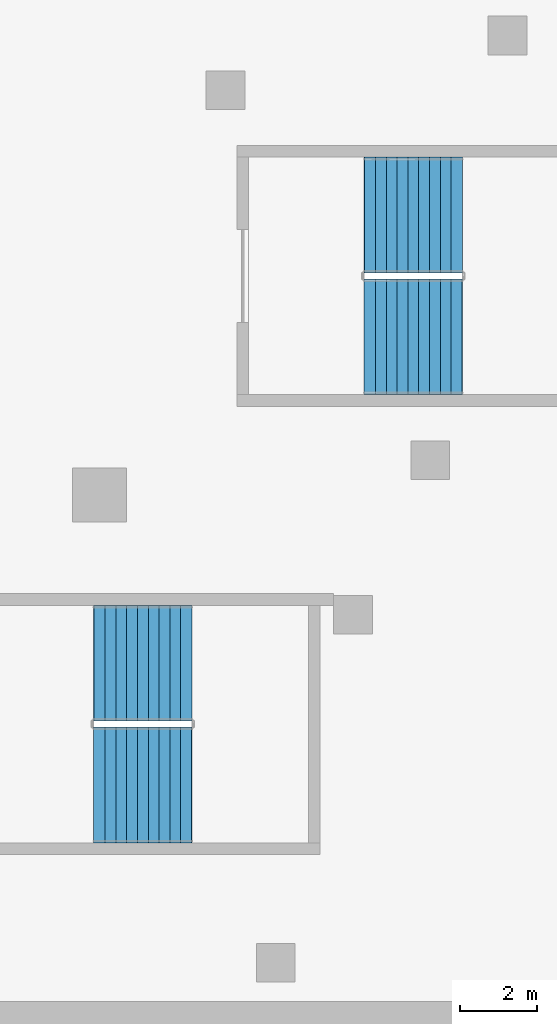
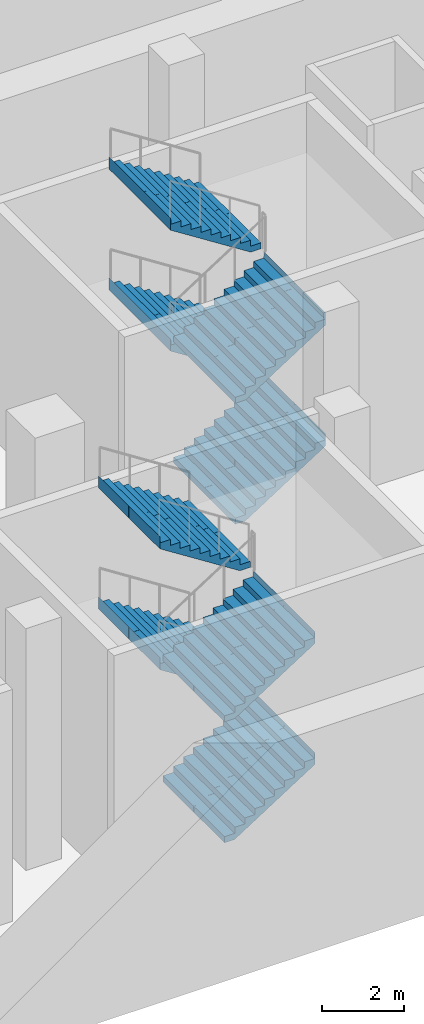
# One storey, part 10 of 15: 8 stair flights, 2 elements without a shape of their own.
"""IFC4 building model written with IfcOpenShell, lengths in metres."""

from ifc_helpers import new_model, si_unit, direction, frame, origin, place, context, subcontext, project, spatial, polyline, outline, extrude, material, type_object, element, aggregate, save


model = new_model("IFC4")

# Units and contexts
model_context = context("Model", 3, precision=1e-05, world=origin(), true_north=direction((0.0, 1.0)))
body_context = subcontext(model_context, "Body", "Model", "MODEL_VIEW")
ifc_project = project(units=[si_unit("LENGTHUNIT", "METRE"), si_unit("AREAUNIT", "SQUARE_METRE"), si_unit("VOLUMEUNIT", "CUBIC_METRE"), si_unit("PLANEANGLEUNIT", "RADIAN"), si_unit("MASSUNIT", "GRAM", prefix="KILO")], contexts=[model_context])

# Site, building, storey
site_placement = place(None, origin())
site = spatial("IfcSite", under=ifc_project, at=site_placement, CompositionType="ELEMENT")
building_placement = place(site_placement, origin())
building = spatial("IfcBuilding", under=site, at=building_placement, Name="Wharfspan Tower", CompositionType="ELEMENT")
storey_placement = place(building_placement, frame((0.0, 0.0, -7.199951)))
storey = spatial("IfcBuildingStorey", under=building, at=storey_placement, Name="B1", CompositionType="ELEMENT", Elevation=-7.199951)

# Stair, stair flights
ifc_material = material(Name="Concrete C40/50", Category="concrete")
stair_type = type_object("IfcStairType", Name="Half-turn stair 3000 wide 40 risers 180 mm", PredefinedType="HALF_TURN_STAIR", material=ifc_material)
stair_1_placement = place(storey_placement, origin())
stair_1 = element("IfcStair", 1, at=stair_1_placement, inside=storey, type_object=stair_type, Name="B1 stair SB5", PredefinedType="HALF_TURN_STAIR")
stair_flight_type = type_object("IfcStairFlightType", Name="Stair flight 3000 wide 40 risers 180 mm", PredefinedType="STRAIGHT", material=ifc_material)
stair_flight_1_placement = place(storey_placement, frame((80.300049, -29.399902, 0.0), z_axis=(0.0, 0.0, 1.0), x_axis=(1.0, 0.0, 0.0)))
stair_flight_1 = element("IfcStairFlight", 2, at=stair_flight_1_placement, type_object=stair_flight_type, Name="SB5 flight 1", NumberOfRisers=10, NumberOfTreads=9, PredefinedType="STRAIGHT", RiserHeight=0.18, TreadLength=0.28, context=body_context, shape_type="SweptSolid", body=[
    extrude(outline(polyline([(-0.011963, 0.0), (-0.011963, 0.179932), (0.0, 0.179932), (0.280029, 0.179932), (0.280029, 0.360107), (0.560059, 0.360107), (0.560059, 0.540039), (0.840088, 0.540039), (0.840088, 0.719971), (1.120117, 0.719971), (1.120117, 0.899902), (1.399902, 0.899902), (1.399902, 1.080078), (1.679932, 1.080078), (1.679932, 1.26001), (1.959961, 1.26001), (1.959961, 1.439941), (2.23999, 1.439941), (2.23999, 1.620117), (2.52002, 1.620117), (2.531982, 1.800049), (2.531982, 1.441895), (0.2771, 0.0), (-0.011963, 0.0)])), frame((0.0, 1.5, 0.0), z_axis=(0.0, -1.0, 0.0), x_axis=(1.0, 0.0, 0.0)), (0.0, 0.0, 1.0), 1.479492),
    extrude(outline(polyline([(-0.011963, 0.0), (-0.011963, 0.179932), (0.0, 0.179932), (0.280029, 0.179932), (0.280029, 0.360107), (0.560059, 0.360107), (0.560059, 0.540039), (0.840088, 0.540039), (0.840088, 0.719971), (1.120117, 0.719971), (1.120117, 0.899902), (1.399902, 0.899902), (1.399902, 1.080078), (1.679932, 1.080078), (1.679932, 1.26001), (1.959961, 1.26001), (1.959961, 1.439941), (2.23999, 1.439941), (2.23999, 1.620117), (2.52002, 1.620117), (2.531982, 1.800049), (2.531982, 1.441895), (0.2771, 0.0), (-0.011963, 0.0)])), frame((0.0, 0.019531, 0.0), z_axis=(0.0, -1.0, 0.0), x_axis=(1.0, 0.0, 0.0)), (0.0, 0.0, 1.0), 0.019043),
    extrude(outline(polyline([(-0.011963, 0.0), (-0.011963, 0.179932), (0.0, 0.179932), (0.280029, 0.179932), (0.280029, 0.360107), (0.560059, 0.360107), (0.560059, 0.540039), (0.840088, 0.540039), (0.840088, 0.719971), (1.120117, 0.719971), (1.120117, 0.899902), (1.399902, 0.899902), (1.399902, 1.080078), (1.679932, 1.080078), (1.679932, 1.26001), (1.959961, 1.26001), (1.959961, 1.439941), (2.23999, 1.439941), (2.23999, 1.620117), (2.52002, 1.620117), (2.531982, 1.800049), (2.531982, 1.441895), (0.2771, 0.0), (-0.011963, 0.0)])), frame((0.0, -0.000488, 0.0), z_axis=(0.0, -1.0, 0.0), x_axis=(1.0, 0.0, 0.0)), (0.0, 0.0, 1.0), 0.019043),
    extrude(outline(polyline([(-0.011963, 0.0), (-0.011963, 0.179932), (0.0, 0.179932), (0.280029, 0.179932), (0.280029, 0.360107), (0.560059, 0.360107), (0.560059, 0.540039), (0.840088, 0.540039), (0.840088, 0.719971), (1.120117, 0.719971), (1.120117, 0.899902), (1.399902, 0.899902), (1.399902, 1.080078), (1.679932, 1.080078), (1.679932, 1.26001), (1.959961, 1.26001), (1.959961, 1.439941), (2.23999, 1.439941), (2.23999, 1.620117), (2.52002, 1.620117), (2.531982, 1.800049), (2.531982, 1.441895), (0.2771, 0.0), (-0.011963, 0.0)])), frame((0.0, -0.020508, 0.0), z_axis=(0.0, -1.0, 0.0), x_axis=(1.0, 0.0, 0.0)), (0.0, 0.0, 1.0), 1.479492),
])
stair_flight_2_placement = place(storey_placement, frame((82.820068, -26.25, 1.800049), z_axis=(0.0, 0.0, 1.0), x_axis=(-1.0, 0.0, 0.0)))
stair_flight_2 = element("IfcStairFlight", 3, at=stair_flight_2_placement, type_object=stair_flight_type, Name="SB5 flight 2", NumberOfRisers=10, NumberOfTreads=9, PredefinedType="STRAIGHT", RiserHeight=0.18, TreadLength=0.28, context=body_context, shape_type="SweptSolid", body=[
    extrude(outline(polyline([(-0.011963, 0.0), (-0.011963, 0.179932), (0.0, 0.179932), (0.280029, 0.179932), (0.280029, 0.360107), (0.560059, 0.360107), (0.560059, 0.540039), (0.840088, 0.540039), (0.840088, 0.719971), (1.120117, 0.719971), (1.120117, 0.899902), (1.399902, 0.899902), (1.399902, 1.080078), (1.679932, 1.080078), (1.679932, 1.26001), (1.959961, 1.26001), (1.959961, 1.439941), (2.23999, 1.439941), (2.23999, 1.620117), (2.52002, 1.620117), (2.531982, 1.800049), (2.531982, 1.441895), (0.2771, 0.0), (-0.011963, 0.0)])), frame((0.0, 1.5, 0.0), z_axis=(0.0, -1.0, 0.0), x_axis=(1.0, 0.0, 0.0)), (0.0, 0.0, 1.0), 1.479492),
    extrude(outline(polyline([(-0.011963, 0.0), (-0.011963, 0.179932), (0.0, 0.179932), (0.280029, 0.179932), (0.280029, 0.360107), (0.560059, 0.360107), (0.560059, 0.540039), (0.840088, 0.540039), (0.840088, 0.719971), (1.120117, 0.719971), (1.120117, 0.899902), (1.399902, 0.899902), (1.399902, 1.080078), (1.679932, 1.080078), (1.679932, 1.26001), (1.959961, 1.26001), (1.959961, 1.439941), (2.23999, 1.439941), (2.23999, 1.620117), (2.52002, 1.620117), (2.531982, 1.800049), (2.531982, 1.441895), (0.2771, 0.0), (-0.011963, 0.0)])), frame((0.0, 0.019531, 0.0), z_axis=(0.0, -1.0, 0.0), x_axis=(1.0, 0.0, 0.0)), (0.0, 0.0, 1.0), 0.019043),
    extrude(outline(polyline([(-0.011963, 0.0), (-0.011963, 0.179932), (0.0, 0.179932), (0.280029, 0.179932), (0.280029, 0.360107), (0.560059, 0.360107), (0.560059, 0.540039), (0.840088, 0.540039), (0.840088, 0.719971), (1.120117, 0.719971), (1.120117, 0.899902), (1.399902, 0.899902), (1.399902, 1.080078), (1.679932, 1.080078), (1.679932, 1.26001), (1.959961, 1.26001), (1.959961, 1.439941), (2.23999, 1.439941), (2.23999, 1.620117), (2.52002, 1.620117), (2.531982, 1.800049), (2.531982, 1.441895), (0.2771, 0.0), (-0.011963, 0.0)])), frame((0.0, -0.000488, 0.0), z_axis=(0.0, -1.0, 0.0), x_axis=(1.0, 0.0, 0.0)), (0.0, 0.0, 1.0), 0.019043),
    extrude(outline(polyline([(-0.011963, 0.0), (-0.011963, 0.179932), (0.0, 0.179932), (0.280029, 0.179932), (0.280029, 0.360107), (0.560059, 0.360107), (0.560059, 0.540039), (0.840088, 0.540039), (0.840088, 0.719971), (1.120117, 0.719971), (1.120117, 0.899902), (1.399902, 0.899902), (1.399902, 1.080078), (1.679932, 1.080078), (1.679932, 1.26001), (1.959961, 1.26001), (1.959961, 1.439941), (2.23999, 1.439941), (2.23999, 1.620117), (2.52002, 1.620117), (2.531982, 1.800049), (2.531982, 1.441895), (0.2771, 0.0), (-0.011963, 0.0)])), frame((0.0, -0.020508, 0.0), z_axis=(0.0, -1.0, 0.0), x_axis=(1.0, 0.0, 0.0)), (0.0, 0.0, 1.0), 1.479492),
])
stair_flight_3_placement = place(storey_placement, frame((80.300049, -29.399902, 3.599854), z_axis=(0.0, 0.0, 1.0), x_axis=(1.0, 0.0, 0.0)))
stair_flight_3 = element("IfcStairFlight", 4, at=stair_flight_3_placement, type_object=stair_flight_type, Name="SB5 flight 3", NumberOfRisers=10, NumberOfTreads=9, PredefinedType="STRAIGHT", RiserHeight=0.18, TreadLength=0.28, context=body_context, shape_type="SweptSolid", body=[
    extrude(outline(polyline([(-0.011963, 0.0), (-0.011963, 0.179932), (0.0, 0.179932), (0.280029, 0.179932), (0.280029, 0.360107), (0.560059, 0.360107), (0.560059, 0.540039), (0.840088, 0.540039), (0.840088, 0.719971), (1.120117, 0.719971), (1.120117, 0.899902), (1.399902, 0.899902), (1.399902, 1.080078), (1.679932, 1.080078), (1.679932, 1.26001), (1.959961, 1.26001), (1.959961, 1.439941), (2.23999, 1.439941), (2.23999, 1.620117), (2.52002, 1.620117), (2.531982, 1.800049), (2.531982, 1.441895), (0.2771, 0.0), (-0.011963, 0.0)])), frame((0.0, 1.5, 0.0), z_axis=(0.0, -1.0, 0.0), x_axis=(1.0, 0.0, 0.0)), (0.0, 0.0, 1.0), 1.479492),
    extrude(outline(polyline([(-0.011963, 0.0), (-0.011963, 0.179932), (0.0, 0.179932), (0.280029, 0.179932), (0.280029, 0.360107), (0.560059, 0.360107), (0.560059, 0.540039), (0.840088, 0.540039), (0.840088, 0.719971), (1.120117, 0.719971), (1.120117, 0.899902), (1.399902, 0.899902), (1.399902, 1.080078), (1.679932, 1.080078), (1.679932, 1.26001), (1.959961, 1.26001), (1.959961, 1.439941), (2.23999, 1.439941), (2.23999, 1.620117), (2.52002, 1.620117), (2.531982, 1.800049), (2.531982, 1.441895), (0.2771, 0.0), (-0.011963, 0.0)])), frame((0.0, 0.019531, 0.0), z_axis=(0.0, -1.0, 0.0), x_axis=(1.0, 0.0, 0.0)), (0.0, 0.0, 1.0), 0.019043),
    extrude(outline(polyline([(-0.011963, 0.0), (-0.011963, 0.179932), (0.0, 0.179932), (0.280029, 0.179932), (0.280029, 0.360107), (0.560059, 0.360107), (0.560059, 0.540039), (0.840088, 0.540039), (0.840088, 0.719971), (1.120117, 0.719971), (1.120117, 0.899902), (1.399902, 0.899902), (1.399902, 1.080078), (1.679932, 1.080078), (1.679932, 1.26001), (1.959961, 1.26001), (1.959961, 1.439941), (2.23999, 1.439941), (2.23999, 1.620117), (2.52002, 1.620117), (2.531982, 1.800049), (2.531982, 1.441895), (0.2771, 0.0), (-0.011963, 0.0)])), frame((0.0, -0.000488, 0.0), z_axis=(0.0, -1.0, 0.0), x_axis=(1.0, 0.0, 0.0)), (0.0, 0.0, 1.0), 0.019043),
    extrude(outline(polyline([(-0.011963, 0.0), (-0.011963, 0.179932), (0.0, 0.179932), (0.280029, 0.179932), (0.280029, 0.360107), (0.560059, 0.360107), (0.560059, 0.540039), (0.840088, 0.540039), (0.840088, 0.719971), (1.120117, 0.719971), (1.120117, 0.899902), (1.399902, 0.899902), (1.399902, 1.080078), (1.679932, 1.080078), (1.679932, 1.26001), (1.959961, 1.26001), (1.959961, 1.439941), (2.23999, 1.439941), (2.23999, 1.620117), (2.52002, 1.620117), (2.531982, 1.800049), (2.531982, 1.441895), (0.2771, 0.0), (-0.011963, 0.0)])), frame((0.0, -0.020508, 0.0), z_axis=(0.0, -1.0, 0.0), x_axis=(1.0, 0.0, 0.0)), (0.0, 0.0, 1.0), 1.479492),
])
stair_flight_4_placement = place(storey_placement, frame((82.820068, -26.25, 5.399902), z_axis=(0.0, 0.0, 1.0), x_axis=(-1.0, 0.0, 0.0)))
stair_flight_4 = element("IfcStairFlight", 5, at=stair_flight_4_placement, type_object=stair_flight_type, Name="SB5 flight 4", NumberOfRisers=10, NumberOfTreads=9, PredefinedType="STRAIGHT", RiserHeight=0.18, TreadLength=0.28, context=body_context, shape_type="SweptSolid", body=[
    extrude(outline(polyline([(-0.011963, 0.0), (-0.011963, 0.179932), (0.0, 0.179932), (0.280029, 0.179932), (0.280029, 0.360107), (0.560059, 0.360107), (0.560059, 0.540039), (0.840088, 0.540039), (0.840088, 0.719971), (1.120117, 0.719971), (1.120117, 0.899902), (1.399902, 0.899902), (1.399902, 1.080078), (1.679932, 1.080078), (1.679932, 1.26001), (1.959961, 1.26001), (1.959961, 1.439941), (2.23999, 1.439941), (2.23999, 1.620117), (2.52002, 1.620117), (2.531982, 1.800049), (2.531982, 1.441895), (0.2771, 0.0), (-0.011963, 0.0)])), frame((0.0, 1.5, 0.0), z_axis=(0.0, -1.0, 0.0), x_axis=(1.0, 0.0, 0.0)), (0.0, 0.0, 1.0), 1.479492),
    extrude(outline(polyline([(-0.011963, 0.0), (-0.011963, 0.179932), (0.0, 0.179932), (0.280029, 0.179932), (0.280029, 0.360107), (0.560059, 0.360107), (0.560059, 0.540039), (0.840088, 0.540039), (0.840088, 0.719971), (1.120117, 0.719971), (1.120117, 0.899902), (1.399902, 0.899902), (1.399902, 1.080078), (1.679932, 1.080078), (1.679932, 1.26001), (1.959961, 1.26001), (1.959961, 1.439941), (2.23999, 1.439941), (2.23999, 1.620117), (2.52002, 1.620117), (2.531982, 1.800049), (2.531982, 1.441895), (0.2771, 0.0), (-0.011963, 0.0)])), frame((0.0, 0.019531, 0.0), z_axis=(0.0, -1.0, 0.0), x_axis=(1.0, 0.0, 0.0)), (0.0, 0.0, 1.0), 0.019043),
    extrude(outline(polyline([(-0.011963, 0.0), (-0.011963, 0.179932), (0.0, 0.179932), (0.280029, 0.179932), (0.280029, 0.360107), (0.560059, 0.360107), (0.560059, 0.540039), (0.840088, 0.540039), (0.840088, 0.719971), (1.120117, 0.719971), (1.120117, 0.899902), (1.399902, 0.899902), (1.399902, 1.080078), (1.679932, 1.080078), (1.679932, 1.26001), (1.959961, 1.26001), (1.959961, 1.439941), (2.23999, 1.439941), (2.23999, 1.620117), (2.52002, 1.620117), (2.531982, 1.800049), (2.531982, 1.441895), (0.2771, 0.0), (-0.011963, 0.0)])), frame((0.0, -0.000488, 0.0), z_axis=(0.0, -1.0, 0.0), x_axis=(1.0, 0.0, 0.0)), (0.0, 0.0, 1.0), 0.019043),
    extrude(outline(polyline([(-0.011963, 0.0), (-0.011963, 0.179932), (0.0, 0.179932), (0.280029, 0.179932), (0.280029, 0.360107), (0.560059, 0.360107), (0.560059, 0.540039), (0.840088, 0.540039), (0.840088, 0.719971), (1.120117, 0.719971), (1.120117, 0.899902), (1.399902, 0.899902), (1.399902, 1.080078), (1.679932, 1.080078), (1.679932, 1.26001), (1.959961, 1.26001), (1.959961, 1.439941), (2.23999, 1.439941), (2.23999, 1.620117), (2.52002, 1.620117), (2.531982, 1.800049), (2.531982, 1.441895), (0.2771, 0.0), (-0.011963, 0.0)])), frame((0.0, -0.020508, 0.0), z_axis=(0.0, -1.0, 0.0), x_axis=(1.0, 0.0, 0.0)), (0.0, 0.0, 1.0), 1.479492),
])
aggregate(stair_1, [stair_flight_1, stair_flight_2, stair_flight_3, stair_flight_4])

stair_2_placement = place(storey_placement, origin())
stair_2 = element("IfcStair", 6, at=stair_2_placement, inside=storey, type_object=stair_type, Name="B1 stair SB7", PredefinedType="HALF_TURN_STAIR")
stair_flight_5_placement = place(storey_placement, frame((87.300049, -17.800049, 0.0), z_axis=(0.0, 0.0, 1.0), x_axis=(1.0, 0.0, 0.0)))
stair_flight_5 = element("IfcStairFlight", 7, at=stair_flight_5_placement, type_object=stair_flight_type, Name="SB7 flight 1", NumberOfRisers=10, NumberOfTreads=9, PredefinedType="STRAIGHT", RiserHeight=0.18, TreadLength=0.28, context=body_context, shape_type="SweptSolid", body=[
    extrude(outline(polyline([(-0.011963, 0.0), (-0.011963, 0.179932), (0.0, 0.179932), (0.280029, 0.179932), (0.280029, 0.360107), (0.560059, 0.360107), (0.560059, 0.540039), (0.840088, 0.540039), (0.840088, 0.719971), (1.120117, 0.719971), (1.120117, 0.899902), (1.399902, 0.899902), (1.399902, 1.080078), (1.679932, 1.080078), (1.679932, 1.26001), (1.959961, 1.26001), (1.959961, 1.439941), (2.23999, 1.439941), (2.23999, 1.620117), (2.52002, 1.620117), (2.531982, 1.800049), (2.531982, 1.441895), (0.2771, 0.0), (-0.011963, 0.0)])), frame((0.0, 1.5, 0.0), z_axis=(0.0, -1.0, 0.0), x_axis=(1.0, 0.0, 0.0)), (0.0, 0.0, 1.0), 1.479492),
    extrude(outline(polyline([(-0.011963, 0.0), (-0.011963, 0.179932), (0.0, 0.179932), (0.280029, 0.179932), (0.280029, 0.360107), (0.560059, 0.360107), (0.560059, 0.540039), (0.840088, 0.540039), (0.840088, 0.719971), (1.120117, 0.719971), (1.120117, 0.899902), (1.399902, 0.899902), (1.399902, 1.080078), (1.679932, 1.080078), (1.679932, 1.26001), (1.959961, 1.26001), (1.959961, 1.439941), (2.23999, 1.439941), (2.23999, 1.620117), (2.52002, 1.620117), (2.531982, 1.800049), (2.531982, 1.441895), (0.2771, 0.0), (-0.011963, 0.0)])), frame((0.0, 0.019531, 0.0), z_axis=(0.0, -1.0, 0.0), x_axis=(1.0, 0.0, 0.0)), (0.0, 0.0, 1.0), 0.019043),
    extrude(outline(polyline([(-0.011963, 0.0), (-0.011963, 0.179932), (0.0, 0.179932), (0.280029, 0.179932), (0.280029, 0.360107), (0.560059, 0.360107), (0.560059, 0.540039), (0.840088, 0.540039), (0.840088, 0.719971), (1.120117, 0.719971), (1.120117, 0.899902), (1.399902, 0.899902), (1.399902, 1.080078), (1.679932, 1.080078), (1.679932, 1.26001), (1.959961, 1.26001), (1.959961, 1.439941), (2.23999, 1.439941), (2.23999, 1.620117), (2.52002, 1.620117), (2.531982, 1.800049), (2.531982, 1.441895), (0.2771, 0.0), (-0.011963, 0.0)])), frame((0.0, -0.000488, 0.0), z_axis=(0.0, -1.0, 0.0), x_axis=(1.0, 0.0, 0.0)), (0.0, 0.0, 1.0), 0.019043),
    extrude(outline(polyline([(-0.011963, 0.0), (-0.011963, 0.179932), (0.0, 0.179932), (0.280029, 0.179932), (0.280029, 0.360107), (0.560059, 0.360107), (0.560059, 0.540039), (0.840088, 0.540039), (0.840088, 0.719971), (1.120117, 0.719971), (1.120117, 0.899902), (1.399902, 0.899902), (1.399902, 1.080078), (1.679932, 1.080078), (1.679932, 1.26001), (1.959961, 1.26001), (1.959961, 1.439941), (2.23999, 1.439941), (2.23999, 1.620117), (2.52002, 1.620117), (2.531982, 1.800049), (2.531982, 1.441895), (0.2771, 0.0), (-0.011963, 0.0)])), frame((0.0, -0.020508, 0.0), z_axis=(0.0, -1.0, 0.0), x_axis=(1.0, 0.0, 0.0)), (0.0, 0.0, 1.0), 1.479492),
])
stair_flight_6_placement = place(storey_placement, frame((89.820068, -14.649902, 1.800049), z_axis=(0.0, 0.0, 1.0), x_axis=(-1.0, 0.0, 0.0)))
stair_flight_6 = element("IfcStairFlight", 8, at=stair_flight_6_placement, type_object=stair_flight_type, Name="SB7 flight 2", NumberOfRisers=10, NumberOfTreads=9, PredefinedType="STRAIGHT", RiserHeight=0.18, TreadLength=0.28, context=body_context, shape_type="SweptSolid", body=[
    extrude(outline(polyline([(-0.011963, 0.0), (-0.011963, 0.179932), (0.0, 0.179932), (0.280029, 0.179932), (0.280029, 0.360107), (0.560059, 0.360107), (0.560059, 0.540039), (0.840088, 0.540039), (0.840088, 0.719971), (1.120117, 0.719971), (1.120117, 0.899902), (1.399902, 0.899902), (1.399902, 1.080078), (1.679932, 1.080078), (1.679932, 1.26001), (1.959961, 1.26001), (1.959961, 1.439941), (2.23999, 1.439941), (2.23999, 1.620117), (2.52002, 1.620117), (2.531982, 1.800049), (2.531982, 1.441895), (0.2771, 0.0), (-0.011963, 0.0)])), frame((0.0, 1.5, 0.0), z_axis=(0.0, -1.0, 0.0), x_axis=(1.0, 0.0, 0.0)), (0.0, 0.0, 1.0), 1.479492),
    extrude(outline(polyline([(-0.011963, 0.0), (-0.011963, 0.179932), (0.0, 0.179932), (0.280029, 0.179932), (0.280029, 0.360107), (0.560059, 0.360107), (0.560059, 0.540039), (0.840088, 0.540039), (0.840088, 0.719971), (1.120117, 0.719971), (1.120117, 0.899902), (1.399902, 0.899902), (1.399902, 1.080078), (1.679932, 1.080078), (1.679932, 1.26001), (1.959961, 1.26001), (1.959961, 1.439941), (2.23999, 1.439941), (2.23999, 1.620117), (2.52002, 1.620117), (2.531982, 1.800049), (2.531982, 1.441895), (0.2771, 0.0), (-0.011963, 0.0)])), frame((0.0, 0.019531, 0.0), z_axis=(0.0, -1.0, 0.0), x_axis=(1.0, 0.0, 0.0)), (0.0, 0.0, 1.0), 0.019043),
    extrude(outline(polyline([(-0.011963, 0.0), (-0.011963, 0.179932), (0.0, 0.179932), (0.280029, 0.179932), (0.280029, 0.360107), (0.560059, 0.360107), (0.560059, 0.540039), (0.840088, 0.540039), (0.840088, 0.719971), (1.120117, 0.719971), (1.120117, 0.899902), (1.399902, 0.899902), (1.399902, 1.080078), (1.679932, 1.080078), (1.679932, 1.26001), (1.959961, 1.26001), (1.959961, 1.439941), (2.23999, 1.439941), (2.23999, 1.620117), (2.52002, 1.620117), (2.531982, 1.800049), (2.531982, 1.441895), (0.2771, 0.0), (-0.011963, 0.0)])), frame((0.0, -0.000488, 0.0), z_axis=(0.0, -1.0, 0.0), x_axis=(1.0, 0.0, 0.0)), (0.0, 0.0, 1.0), 0.019043),
    extrude(outline(polyline([(-0.011963, 0.0), (-0.011963, 0.179932), (0.0, 0.179932), (0.280029, 0.179932), (0.280029, 0.360107), (0.560059, 0.360107), (0.560059, 0.540039), (0.840088, 0.540039), (0.840088, 0.719971), (1.120117, 0.719971), (1.120117, 0.899902), (1.399902, 0.899902), (1.399902, 1.080078), (1.679932, 1.080078), (1.679932, 1.26001), (1.959961, 1.26001), (1.959961, 1.439941), (2.23999, 1.439941), (2.23999, 1.620117), (2.52002, 1.620117), (2.531982, 1.800049), (2.531982, 1.441895), (0.2771, 0.0), (-0.011963, 0.0)])), frame((0.0, -0.020508, 0.0), z_axis=(0.0, -1.0, 0.0), x_axis=(1.0, 0.0, 0.0)), (0.0, 0.0, 1.0), 1.479492),
])
stair_flight_7_placement = place(storey_placement, frame((87.300049, -17.800049, 3.599854), z_axis=(0.0, 0.0, 1.0), x_axis=(1.0, 0.0, 0.0)))
stair_flight_7 = element("IfcStairFlight", 9, at=stair_flight_7_placement, type_object=stair_flight_type, Name="SB7 flight 3", NumberOfRisers=10, NumberOfTreads=9, PredefinedType="STRAIGHT", RiserHeight=0.18, TreadLength=0.28, context=body_context, shape_type="SweptSolid", body=[
    extrude(outline(polyline([(-0.011963, 0.0), (-0.011963, 0.179932), (0.0, 0.179932), (0.280029, 0.179932), (0.280029, 0.360107), (0.560059, 0.360107), (0.560059, 0.540039), (0.840088, 0.540039), (0.840088, 0.719971), (1.120117, 0.719971), (1.120117, 0.899902), (1.399902, 0.899902), (1.399902, 1.080078), (1.679932, 1.080078), (1.679932, 1.26001), (1.959961, 1.26001), (1.959961, 1.439941), (2.23999, 1.439941), (2.23999, 1.620117), (2.52002, 1.620117), (2.531982, 1.800049), (2.531982, 1.441895), (0.2771, 0.0), (-0.011963, 0.0)])), frame((0.0, 1.5, 0.0), z_axis=(0.0, -1.0, 0.0), x_axis=(1.0, 0.0, 0.0)), (0.0, 0.0, 1.0), 1.479492),
    extrude(outline(polyline([(-0.011963, 0.0), (-0.011963, 0.179932), (0.0, 0.179932), (0.280029, 0.179932), (0.280029, 0.360107), (0.560059, 0.360107), (0.560059, 0.540039), (0.840088, 0.540039), (0.840088, 0.719971), (1.120117, 0.719971), (1.120117, 0.899902), (1.399902, 0.899902), (1.399902, 1.080078), (1.679932, 1.080078), (1.679932, 1.26001), (1.959961, 1.26001), (1.959961, 1.439941), (2.23999, 1.439941), (2.23999, 1.620117), (2.52002, 1.620117), (2.531982, 1.800049), (2.531982, 1.441895), (0.2771, 0.0), (-0.011963, 0.0)])), frame((0.0, 0.019531, 0.0), z_axis=(0.0, -1.0, 0.0), x_axis=(1.0, 0.0, 0.0)), (0.0, 0.0, 1.0), 0.019043),
    extrude(outline(polyline([(-0.011963, 0.0), (-0.011963, 0.179932), (0.0, 0.179932), (0.280029, 0.179932), (0.280029, 0.360107), (0.560059, 0.360107), (0.560059, 0.540039), (0.840088, 0.540039), (0.840088, 0.719971), (1.120117, 0.719971), (1.120117, 0.899902), (1.399902, 0.899902), (1.399902, 1.080078), (1.679932, 1.080078), (1.679932, 1.26001), (1.959961, 1.26001), (1.959961, 1.439941), (2.23999, 1.439941), (2.23999, 1.620117), (2.52002, 1.620117), (2.531982, 1.800049), (2.531982, 1.441895), (0.2771, 0.0), (-0.011963, 0.0)])), frame((0.0, -0.000488, 0.0), z_axis=(0.0, -1.0, 0.0), x_axis=(1.0, 0.0, 0.0)), (0.0, 0.0, 1.0), 0.019043),
    extrude(outline(polyline([(-0.011963, 0.0), (-0.011963, 0.179932), (0.0, 0.179932), (0.280029, 0.179932), (0.280029, 0.360107), (0.560059, 0.360107), (0.560059, 0.540039), (0.840088, 0.540039), (0.840088, 0.719971), (1.120117, 0.719971), (1.120117, 0.899902), (1.399902, 0.899902), (1.399902, 1.080078), (1.679932, 1.080078), (1.679932, 1.26001), (1.959961, 1.26001), (1.959961, 1.439941), (2.23999, 1.439941), (2.23999, 1.620117), (2.52002, 1.620117), (2.531982, 1.800049), (2.531982, 1.441895), (0.2771, 0.0), (-0.011963, 0.0)])), frame((0.0, -0.020508, 0.0), z_axis=(0.0, -1.0, 0.0), x_axis=(1.0, 0.0, 0.0)), (0.0, 0.0, 1.0), 1.479492),
])
stair_flight_8_placement = place(storey_placement, frame((89.820068, -14.649902, 5.399902), z_axis=(0.0, 0.0, 1.0), x_axis=(-1.0, 0.0, 0.0)))
stair_flight_8 = element("IfcStairFlight", 10, at=stair_flight_8_placement, type_object=stair_flight_type, Name="SB7 flight 4", NumberOfRisers=10, NumberOfTreads=9, PredefinedType="STRAIGHT", RiserHeight=0.18, TreadLength=0.28, context=body_context, shape_type="SweptSolid", body=[
    extrude(outline(polyline([(-0.011963, 0.0), (-0.011963, 0.179932), (0.0, 0.179932), (0.280029, 0.179932), (0.280029, 0.360107), (0.560059, 0.360107), (0.560059, 0.540039), (0.840088, 0.540039), (0.840088, 0.719971), (1.120117, 0.719971), (1.120117, 0.899902), (1.399902, 0.899902), (1.399902, 1.080078), (1.679932, 1.080078), (1.679932, 1.26001), (1.959961, 1.26001), (1.959961, 1.439941), (2.23999, 1.439941), (2.23999, 1.620117), (2.52002, 1.620117), (2.531982, 1.800049), (2.531982, 1.441895), (0.2771, 0.0), (-0.011963, 0.0)])), frame((0.0, 1.5, 0.0), z_axis=(0.0, -1.0, 0.0), x_axis=(1.0, 0.0, 0.0)), (0.0, 0.0, 1.0), 1.479492),
    extrude(outline(polyline([(-0.011963, 0.0), (-0.011963, 0.179932), (0.0, 0.179932), (0.280029, 0.179932), (0.280029, 0.360107), (0.560059, 0.360107), (0.560059, 0.540039), (0.840088, 0.540039), (0.840088, 0.719971), (1.120117, 0.719971), (1.120117, 0.899902), (1.399902, 0.899902), (1.399902, 1.080078), (1.679932, 1.080078), (1.679932, 1.26001), (1.959961, 1.26001), (1.959961, 1.439941), (2.23999, 1.439941), (2.23999, 1.620117), (2.52002, 1.620117), (2.531982, 1.800049), (2.531982, 1.441895), (0.2771, 0.0), (-0.011963, 0.0)])), frame((0.0, 0.019531, 0.0), z_axis=(0.0, -1.0, 0.0), x_axis=(1.0, 0.0, 0.0)), (0.0, 0.0, 1.0), 0.019043),
    extrude(outline(polyline([(-0.011963, 0.0), (-0.011963, 0.179932), (0.0, 0.179932), (0.280029, 0.179932), (0.280029, 0.360107), (0.560059, 0.360107), (0.560059, 0.540039), (0.840088, 0.540039), (0.840088, 0.719971), (1.120117, 0.719971), (1.120117, 0.899902), (1.399902, 0.899902), (1.399902, 1.080078), (1.679932, 1.080078), (1.679932, 1.26001), (1.959961, 1.26001), (1.959961, 1.439941), (2.23999, 1.439941), (2.23999, 1.620117), (2.52002, 1.620117), (2.531982, 1.800049), (2.531982, 1.441895), (0.2771, 0.0), (-0.011963, 0.0)])), frame((0.0, -0.000488, 0.0), z_axis=(0.0, -1.0, 0.0), x_axis=(1.0, 0.0, 0.0)), (0.0, 0.0, 1.0), 0.019043),
    extrude(outline(polyline([(-0.011963, 0.0), (-0.011963, 0.179932), (0.0, 0.179932), (0.280029, 0.179932), (0.280029, 0.360107), (0.560059, 0.360107), (0.560059, 0.540039), (0.840088, 0.540039), (0.840088, 0.719971), (1.120117, 0.719971), (1.120117, 0.899902), (1.399902, 0.899902), (1.399902, 1.080078), (1.679932, 1.080078), (1.679932, 1.26001), (1.959961, 1.26001), (1.959961, 1.439941), (2.23999, 1.439941), (2.23999, 1.620117), (2.52002, 1.620117), (2.531982, 1.800049), (2.531982, 1.441895), (0.2771, 0.0), (-0.011963, 0.0)])), frame((0.0, -0.020508, 0.0), z_axis=(0.0, -1.0, 0.0), x_axis=(1.0, 0.0, 0.0)), (0.0, 0.0, 1.0), 1.479492),
])
aggregate(stair_2, [stair_flight_5, stair_flight_6, stair_flight_7, stair_flight_8])

save(model, "model.ifc")
